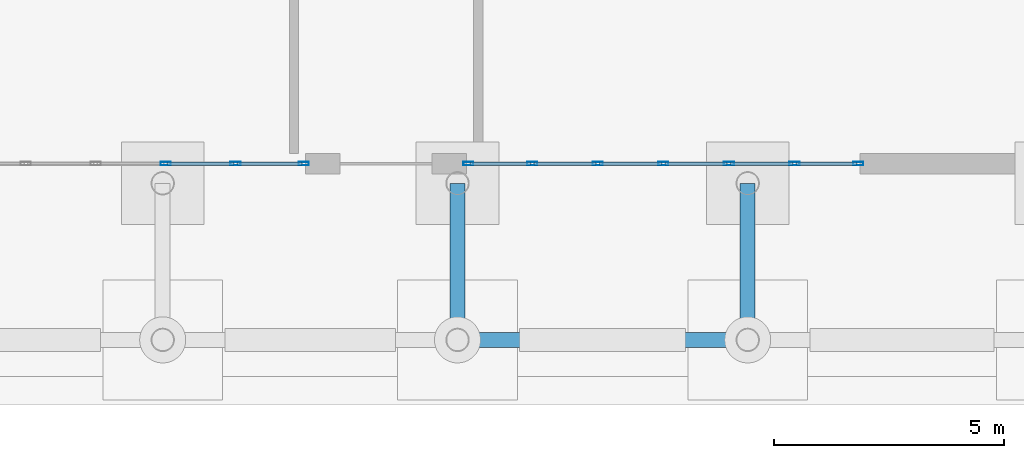
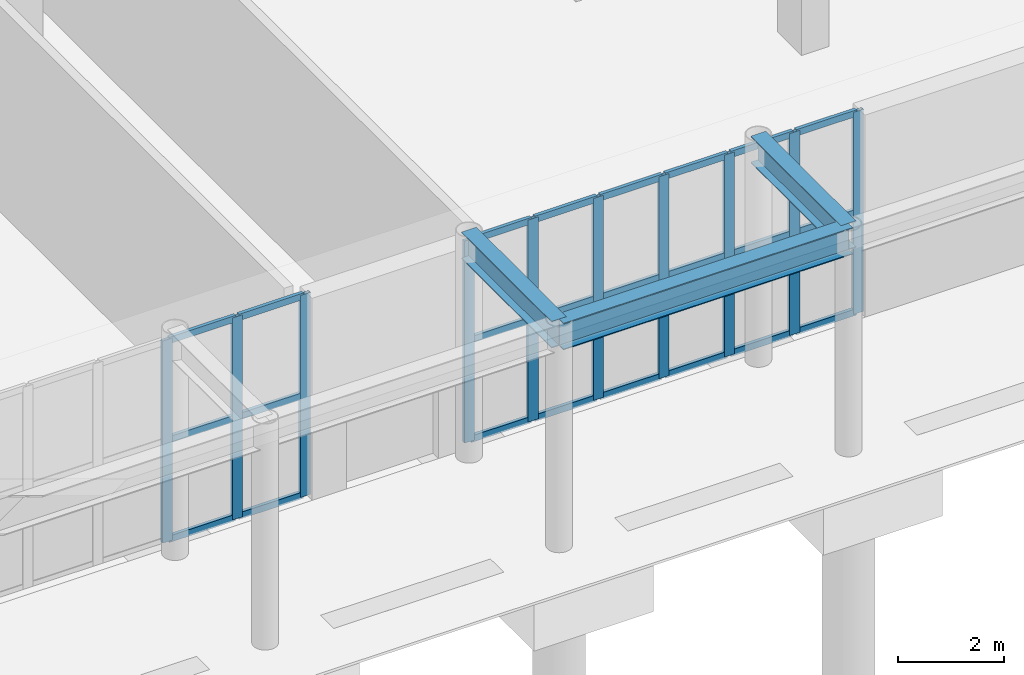
# One storey, part 9 of 35: 34 members, 3 beams, 2 elements without a shape of their own.
"""IFC4 building model written with IfcOpenShell, lengths in metres."""

from ifc_helpers import new_model, si_unit, direction, frame, origin, origin_2d, place, context, subcontext, project, spatial, hollow_rectangle, i_section, extrude, material, layer, layer_set, material_profile, profile_set, type_object, element, aggregate, save


model = new_model("IFC4")

# Units and contexts
model_context = context("Model", 3, precision=1e-05, world=origin(), true_north=direction((0.0, 1.0)))
body_context = subcontext(model_context, "Body", "Model", "MODEL_VIEW")
ifc_project = project(units=[si_unit("LENGTHUNIT", "METRE"), si_unit("AREAUNIT", "SQUARE_METRE"), si_unit("VOLUMEUNIT", "CUBIC_METRE"), si_unit("PLANEANGLEUNIT", "RADIAN"), si_unit("MASSUNIT", "GRAM", prefix="KILO")], contexts=[model_context])

# Site, building, storey
site_placement = place(None, origin())
site = spatial("IfcSite", under=ifc_project, at=site_placement, CompositionType="ELEMENT")
building_placement = place(site_placement, origin())
building = spatial("IfcBuilding", under=site, at=building_placement, Name="Kilnhurst Terrace Hotel", CompositionType="ELEMENT")
storey_placement = place(building_placement, origin())
storey = spatial("IfcBuildingStorey", under=building, at=storey_placement, Name="L00", CompositionType="ELEMENT", Elevation=0.0)

# Beams
ifc_material_1 = material(Name="Steel ASTM A992 Grade 50", Category="steel")
ifc_material_profile_1 = material_profile(ifc_material_1, i_section(OverallWidth=0.3251953125, OverallDepth=0.6162109375, WebThickness=0.013916015625, FlangeThickness=0.021484375, at=origin_2d()), Name="W24X117")
ifc_profile_set_1 = profile_set([ifc_material_profile_1], Name="Steel ASTM A992 Grade 50")
beam_type = type_object("IfcBeamType", Name="BM-STL-W24X117", PredefinedType="BEAM", material=ifc_profile_set_1)
for number, where, z_axis, x_axis, name in (
    (1, (3.199951171875, -35.60009765625, 4.89208984375), (0.0, 1.0, 0.0), (-1.0, 0.0, 0.0), "Porte Cochere Canopy Tie Beam 4"),
    (2, (9.5, -35.60009765625, 4.89208984375), (0.0, 1.0, 0.0), (-1.0, 0.0, 0.0), "Porte Cochere Canopy Tie Beam 5"),
):
    element("IfcBeam", number, at=place(storey_placement, frame(where, z_axis=z_axis, x_axis=x_axis)), inside=storey, type_object=beam_type, Name=name, PredefinedType="BEAM", context=body_context, shape_type="SweptSolid", body=[
        extrude(i_section(OverallWidth=0.3251953125, OverallDepth=0.6162109375, WebThickness=0.013916015625, FlangeThickness=0.021484375, at=origin_2d()), origin(), (0.0, 0.0, 1.0), 3.400146484375),
    ])
beam_placement = place(storey_placement, frame((3.199951171875, -35.60009765625, 4.89208984375), z_axis=(1.0, 0.0, 0.0), x_axis=(0.0, 1.0, 0.0)))
element("IfcBeam", 3, at=beam_placement, inside=storey, type_object=beam_type, Name="Porte Cochere Canopy Edge Beam 4", PredefinedType="BEAM", context=body_context, shape_type="SweptSolid", body=[
    extrude(i_section(OverallWidth=0.3251953125, OverallDepth=0.6162109375, WebThickness=0.013916015625, FlangeThickness=0.021484375, at=origin_2d()), origin(), (0.0, 0.0, 1.0), 6.300048828125),
])

# Curtain wall, members
ifc_material_2 = material(Name="Anodized Aluminium Alloy 6063-T6 and Low-E Glass", Category="aluminium")
ifc_layer = layer(ifc_material_2, 0.219970703125, Name="Anodized Aluminium Alloy 6063-T6 and Low-E Glass")
ifc_layer_set = layer_set([ifc_layer], Name="Anodized Aluminium Alloy 6063-T6 and Low-E Glass")
curtain_wall_type = type_object("IfcCurtainWallType", Name="CW-POD-LOBBY", PredefinedType="NOTDEFINED", material=ifc_layer_set)
curtain_wall_1_placement = place(storey_placement, origin())
curtain_wall_1 = element("IfcCurtainWall", 4, at=curtain_wall_1_placement, inside=storey, type_object=curtain_wall_type, Name="L00 Curtain Wall CW-L00-F1-1", PredefinedType="NOTDEFINED")
ifc_material_3 = material(Name="Extruded Aluminium Alloy 6063-T6", Category="aluminium")
ifc_material_profile_2 = material_profile(ifc_material_3, hollow_rectangle(XDim=0.074951171875, YDim=0.219970703125, WallThickness=0.00390625, at=origin_2d()), Name="CWM75X220")
ifc_profile_set_2 = profile_set([ifc_material_profile_2], Name="Extruded Aluminium Alloy 6063-T6")
member_type_1 = type_object("IfcMemberType", Name="MEM-CWM75X220", PredefinedType="MULLION", material=ifc_profile_set_2)
member_1_placement = place(storey_placement, frame((-3.136474609375, -31.77490234375, 0.0), z_axis=(0.0, 0.0, 1.0), x_axis=(0.0, 1.0, 0.0)))
member_1 = element("IfcMember", 5, at=member_1_placement, type_object=member_type_1, Name="CWL-1 mullion 5", PredefinedType="MULLION", context=body_context, shape_type="SweptSolid", body=[
    extrude(hollow_rectangle(XDim=0.074951171875, YDim=0.219970703125, WallThickness=0.00390625, at=origin_2d()), origin(), (0.0, 0.0, 1.0), 4.64990234375),
])
member_2_placement = place(storey_placement, frame((-1.618408203125, -31.77490234375, 0.0), z_axis=(0.0, 0.0, 1.0), x_axis=(0.0, 1.0, 0.0)))
member_2 = element("IfcMember", 6, at=member_2_placement, type_object=member_type_1, Name="CWL-1 mullion 6", PredefinedType="MULLION", context=body_context, shape_type="SweptSolid", body=[
    extrude(hollow_rectangle(XDim=0.074951171875, YDim=0.219970703125, WallThickness=0.00390625, at=origin_2d()), origin(), (0.0, 0.0, 1.0), 4.64990234375),
])
member_3_placement = place(storey_placement, frame((-0.137939453125, -31.77490234375, 0.0), z_axis=(0.0, 0.0, 1.0), x_axis=(0.0, 1.0, 0.0)))
member_3 = element("IfcMember", 7, at=member_3_placement, type_object=member_type_1, Name="CWL-1 mullion 7", PredefinedType="MULLION", context=body_context, shape_type="SweptSolid", body=[
    extrude(hollow_rectangle(XDim=0.074951171875, YDim=0.219970703125, WallThickness=0.00390625, at=origin_2d()), origin(), (0.0, 0.0, 1.0), 4.64990234375),
])

curtain_wall_2_placement = place(storey_placement, origin())
curtain_wall_2 = element("IfcCurtainWall", 8, at=curtain_wall_2_placement, inside=storey, type_object=curtain_wall_type, Name="L00 Curtain Wall CW-L00-F1-2", PredefinedType="NOTDEFINED")
member_4_placement = place(storey_placement, frame((3.43701171875, -31.77490234375, 0.0), z_axis=(0.0, 0.0, 1.0), x_axis=(0.0, 1.0, 0.0)))
member_4 = element("IfcMember", 9, at=member_4_placement, type_object=member_type_1, Name="CWL-1 mullion 1", PredefinedType="MULLION", context=body_context, shape_type="SweptSolid", body=[
    extrude(hollow_rectangle(XDim=0.074951171875, YDim=0.219970703125, WallThickness=0.00390625, at=origin_2d()), origin(), (0.0, 0.0, 1.0), 4.64990234375),
])
member_5_placement = place(storey_placement, frame((4.82275390625, -31.77490234375, 0.0), z_axis=(0.0, 0.0, 1.0), x_axis=(0.0, 1.0, 0.0)))
member_5 = element("IfcMember", 10, at=member_5_placement, type_object=member_type_1, Name="CWL-1 mullion 2", PredefinedType="MULLION", context=body_context, shape_type="SweptSolid", body=[
    extrude(hollow_rectangle(XDim=0.074951171875, YDim=0.219970703125, WallThickness=0.00390625, at=origin_2d()), origin(), (0.0, 0.0, 1.0), 4.64990234375),
])
member_6_placement = place(storey_placement, frame((6.24609375, -31.77490234375, 0.0), z_axis=(0.0, 0.0, 1.0), x_axis=(0.0, 1.0, 0.0)))
member_6 = element("IfcMember", 11, at=member_6_placement, type_object=member_type_1, Name="CWL-1 mullion 3", PredefinedType="MULLION", context=body_context, shape_type="SweptSolid", body=[
    extrude(hollow_rectangle(XDim=0.074951171875, YDim=0.219970703125, WallThickness=0.00390625, at=origin_2d()), origin(), (0.0, 0.0, 1.0), 4.64990234375),
])
member_7_placement = place(storey_placement, frame((7.66943359375, -31.77490234375, 0.0), z_axis=(0.0, 0.0, 1.0), x_axis=(0.0, 1.0, 0.0)))
member_7 = element("IfcMember", 12, at=member_7_placement, type_object=member_type_1, Name="CWL-1 mullion 4", PredefinedType="MULLION", context=body_context, shape_type="SweptSolid", body=[
    extrude(hollow_rectangle(XDim=0.074951171875, YDim=0.219970703125, WallThickness=0.00390625, at=origin_2d()), origin(), (0.0, 0.0, 1.0), 4.64990234375),
])
member_8_placement = place(storey_placement, frame((9.0927734375, -31.77490234375, 0.0), z_axis=(0.0, 0.0, 1.0), x_axis=(0.0, 1.0, 0.0)))
member_8 = element("IfcMember", 13, at=member_8_placement, type_object=member_type_1, Name="CWL-1 mullion 5", PredefinedType="MULLION", context=body_context, shape_type="SweptSolid", body=[
    extrude(hollow_rectangle(XDim=0.074951171875, YDim=0.219970703125, WallThickness=0.00390625, at=origin_2d()), origin(), (0.0, 0.0, 1.0), 4.64990234375),
])
member_9_placement = place(storey_placement, frame((10.51611328125, -31.77490234375, 0.0), z_axis=(0.0, 0.0, 1.0), x_axis=(0.0, 1.0, 0.0)))
member_9 = element("IfcMember", 14, at=member_9_placement, type_object=member_type_1, Name="CWL-1 mullion 6", PredefinedType="MULLION", context=body_context, shape_type="SweptSolid", body=[
    extrude(hollow_rectangle(XDim=0.074951171875, YDim=0.219970703125, WallThickness=0.00390625, at=origin_2d()), origin(), (0.0, 0.0, 1.0), 4.64990234375),
])
member_10_placement = place(storey_placement, frame((11.902099609375, -31.77490234375, 0.0), z_axis=(0.0, 0.0, 1.0), x_axis=(0.0, 1.0, 0.0)))
member_10 = element("IfcMember", 15, at=member_10_placement, type_object=member_type_1, Name="CWL-1 mullion 7", PredefinedType="MULLION", context=body_context, shape_type="SweptSolid", body=[
    extrude(hollow_rectangle(XDim=0.074951171875, YDim=0.219970703125, WallThickness=0.00390625, at=origin_2d()), origin(), (0.0, 0.0, 1.0), 4.64990234375),
])

# Member
ifc_material_profile_3 = material_profile(ifc_material_3, hollow_rectangle(XDim=0.074951171875, YDim=0.14990234375, WallThickness=0.00390625, at=origin_2d()), Name="CWT75X150")
ifc_profile_set_3 = profile_set([ifc_material_profile_3], Name="Extruded Aluminium Alloy 6063-T6")
member_type_2 = type_object("IfcMemberType", Name="MEM-CWT75X150", PredefinedType="USERDEFINED", material=ifc_profile_set_3)
member_11_placement = place(storey_placement, frame((-3.09912109375, -31.77490234375, 0.03759765625), z_axis=(1.0, 0.0, 0.0), x_axis=(0.0, 1.0, 0.0)))
member_11 = element("IfcMember", 16, at=member_11_placement, type_object=member_type_2, Name="CWL-1 transom 5.1", ObjectType="TRANSOM", PredefinedType="USERDEFINED", context=body_context, shape_type="SweptSolid", body=[
    extrude(hollow_rectangle(XDim=0.074951171875, YDim=0.14990234375, WallThickness=0.00390625, at=origin_2d()), origin(), (0.0, 0.0, 1.0), 1.443115234375),
])

member_12_placement = place(storey_placement, frame((-3.09912109375, -31.77490234375, 2.324951171875), z_axis=(1.0, 0.0, 0.0), x_axis=(0.0, 1.0, 0.0)))
member_12 = element("IfcMember", 17, at=member_12_placement, type_object=member_type_2, Name="CWL-1 transom 5.2", ObjectType="TRANSOM", PredefinedType="USERDEFINED", context=body_context, shape_type="SweptSolid", body=[
    extrude(hollow_rectangle(XDim=0.074951171875, YDim=0.14990234375, WallThickness=0.00390625, at=origin_2d()), origin(), (0.0, 0.0, 1.0), 1.443115234375),
])

member_13_placement = place(storey_placement, frame((-3.09912109375, -31.77490234375, 4.612548828125), z_axis=(1.0, 0.0, 0.0), x_axis=(0.0, 1.0, 0.0)))
member_13 = element("IfcMember", 18, at=member_13_placement, type_object=member_type_2, Name="CWL-1 transom 5.3", ObjectType="TRANSOM", PredefinedType="USERDEFINED", context=body_context, shape_type="SweptSolid", body=[
    extrude(hollow_rectangle(XDim=0.074951171875, YDim=0.14990234375, WallThickness=0.00390625, at=origin_2d()), origin(), (0.0, 0.0, 1.0), 1.443115234375),
])

member_14_placement = place(storey_placement, frame((-1.5810546875, -31.77490234375, 0.03759765625), z_axis=(1.0, 0.0, 0.0), x_axis=(0.0, 1.0, 0.0)))
member_14 = element("IfcMember", 19, at=member_14_placement, type_object=member_type_2, Name="CWL-1 transom 6.1", ObjectType="TRANSOM", PredefinedType="USERDEFINED", context=body_context, shape_type="SweptSolid", body=[
    extrude(hollow_rectangle(XDim=0.074951171875, YDim=0.14990234375, WallThickness=0.00390625, at=origin_2d()), origin(), (0.0, 0.0, 1.0), 1.405517578125),
])

member_15_placement = place(storey_placement, frame((-1.5810546875, -31.77490234375, 2.324951171875), z_axis=(1.0, 0.0, 0.0), x_axis=(0.0, 1.0, 0.0)))
member_15 = element("IfcMember", 20, at=member_15_placement, type_object=member_type_2, Name="CWL-1 transom 6.2", ObjectType="TRANSOM", PredefinedType="USERDEFINED", context=body_context, shape_type="SweptSolid", body=[
    extrude(hollow_rectangle(XDim=0.074951171875, YDim=0.14990234375, WallThickness=0.00390625, at=origin_2d()), origin(), (0.0, 0.0, 1.0), 1.405517578125),
])

member_16_placement = place(storey_placement, frame((-1.5810546875, -31.77490234375, 4.612548828125), z_axis=(1.0, 0.0, 0.0), x_axis=(0.0, 1.0, 0.0)))
member_16 = element("IfcMember", 21, at=member_16_placement, type_object=member_type_2, Name="CWL-1 transom 6.3", ObjectType="TRANSOM", PredefinedType="USERDEFINED", context=body_context, shape_type="SweptSolid", body=[
    extrude(hollow_rectangle(XDim=0.074951171875, YDim=0.14990234375, WallThickness=0.00390625, at=origin_2d()), origin(), (0.0, 0.0, 1.0), 1.405517578125),
])

aggregate(curtain_wall_1, [member_1, member_2, member_3, member_11, member_12, member_13, member_14, member_15, member_16])

member_17_placement = place(storey_placement, frame((3.474609375, -31.77490234375, 0.03759765625), z_axis=(1.0, 0.0, 0.0), x_axis=(0.0, 1.0, 0.0)))
member_17 = element("IfcMember", 22, at=member_17_placement, type_object=member_type_2, Name="CWL-1 transom 1.1", ObjectType="TRANSOM", PredefinedType="USERDEFINED", context=body_context, shape_type="SweptSolid", body=[
    extrude(hollow_rectangle(XDim=0.074951171875, YDim=0.14990234375, WallThickness=0.00390625, at=origin_2d()), origin(), (0.0, 0.0, 1.0), 1.310791015625),
])

member_18_placement = place(storey_placement, frame((3.474609375, -31.77490234375, 2.324951171875), z_axis=(1.0, 0.0, 0.0), x_axis=(0.0, 1.0, 0.0)))
member_18 = element("IfcMember", 23, at=member_18_placement, type_object=member_type_2, Name="CWL-1 transom 1.2", ObjectType="TRANSOM", PredefinedType="USERDEFINED", context=body_context, shape_type="SweptSolid", body=[
    extrude(hollow_rectangle(XDim=0.074951171875, YDim=0.14990234375, WallThickness=0.00390625, at=origin_2d()), origin(), (0.0, 0.0, 1.0), 1.310791015625),
])

member_19_placement = place(storey_placement, frame((3.474609375, -31.77490234375, 4.612548828125), z_axis=(1.0, 0.0, 0.0), x_axis=(0.0, 1.0, 0.0)))
member_19 = element("IfcMember", 24, at=member_19_placement, type_object=member_type_2, Name="CWL-1 transom 1.3", ObjectType="TRANSOM", PredefinedType="USERDEFINED", context=body_context, shape_type="SweptSolid", body=[
    extrude(hollow_rectangle(XDim=0.074951171875, YDim=0.14990234375, WallThickness=0.00390625, at=origin_2d()), origin(), (0.0, 0.0, 1.0), 1.310791015625),
])

member_20_placement = place(storey_placement, frame((4.8603515625, -31.77490234375, 0.03759765625), z_axis=(1.0, 0.0, 0.0), x_axis=(0.0, 1.0, 0.0)))
member_20 = element("IfcMember", 25, at=member_20_placement, type_object=member_type_2, Name="CWL-1 transom 2.1", ObjectType="TRANSOM", PredefinedType="USERDEFINED", context=body_context, shape_type="SweptSolid", body=[
    extrude(hollow_rectangle(XDim=0.074951171875, YDim=0.14990234375, WallThickness=0.00390625, at=origin_2d()), origin(), (0.0, 0.0, 1.0), 1.348388671875),
])

member_21_placement = place(storey_placement, frame((4.8603515625, -31.77490234375, 2.324951171875), z_axis=(1.0, 0.0, 0.0), x_axis=(0.0, 1.0, 0.0)))
member_21 = element("IfcMember", 26, at=member_21_placement, type_object=member_type_2, Name="CWL-1 transom 2.2", ObjectType="TRANSOM", PredefinedType="USERDEFINED", context=body_context, shape_type="SweptSolid", body=[
    extrude(hollow_rectangle(XDim=0.074951171875, YDim=0.14990234375, WallThickness=0.00390625, at=origin_2d()), origin(), (0.0, 0.0, 1.0), 1.348388671875),
])

member_22_placement = place(storey_placement, frame((4.8603515625, -31.77490234375, 4.612548828125), z_axis=(1.0, 0.0, 0.0), x_axis=(0.0, 1.0, 0.0)))
member_22 = element("IfcMember", 27, at=member_22_placement, type_object=member_type_2, Name="CWL-1 transom 2.3", ObjectType="TRANSOM", PredefinedType="USERDEFINED", context=body_context, shape_type="SweptSolid", body=[
    extrude(hollow_rectangle(XDim=0.074951171875, YDim=0.14990234375, WallThickness=0.00390625, at=origin_2d()), origin(), (0.0, 0.0, 1.0), 1.348388671875),
])

member_23_placement = place(storey_placement, frame((6.28369140625, -31.77490234375, 0.03759765625), z_axis=(1.0, 0.0, 0.0), x_axis=(0.0, 1.0, 0.0)))
member_23 = element("IfcMember", 28, at=member_23_placement, type_object=member_type_2, Name="CWL-1 transom 3.1", ObjectType="TRANSOM", PredefinedType="USERDEFINED", context=body_context, shape_type="SweptSolid", body=[
    extrude(hollow_rectangle(XDim=0.074951171875, YDim=0.14990234375, WallThickness=0.00390625, at=origin_2d()), origin(), (0.0, 0.0, 1.0), 1.348388671875),
])

member_24_placement = place(storey_placement, frame((6.28369140625, -31.77490234375, 2.324951171875), z_axis=(1.0, 0.0, 0.0), x_axis=(0.0, 1.0, 0.0)))
member_24 = element("IfcMember", 29, at=member_24_placement, type_object=member_type_2, Name="CWL-1 transom 3.2", ObjectType="TRANSOM", PredefinedType="USERDEFINED", context=body_context, shape_type="SweptSolid", body=[
    extrude(hollow_rectangle(XDim=0.074951171875, YDim=0.14990234375, WallThickness=0.00390625, at=origin_2d()), origin(), (0.0, 0.0, 1.0), 1.348388671875),
])

member_25_placement = place(storey_placement, frame((6.28369140625, -31.77490234375, 4.612548828125), z_axis=(1.0, 0.0, 0.0), x_axis=(0.0, 1.0, 0.0)))
member_25 = element("IfcMember", 30, at=member_25_placement, type_object=member_type_2, Name="CWL-1 transom 3.3", ObjectType="TRANSOM", PredefinedType="USERDEFINED", context=body_context, shape_type="SweptSolid", body=[
    extrude(hollow_rectangle(XDim=0.074951171875, YDim=0.14990234375, WallThickness=0.00390625, at=origin_2d()), origin(), (0.0, 0.0, 1.0), 1.348388671875),
])

member_26_placement = place(storey_placement, frame((7.70703125, -31.77490234375, 0.03759765625), z_axis=(1.0, 0.0, 0.0), x_axis=(0.0, 1.0, 0.0)))
member_26 = element("IfcMember", 31, at=member_26_placement, type_object=member_type_2, Name="CWL-1 transom 4.1", ObjectType="TRANSOM", PredefinedType="USERDEFINED", context=body_context, shape_type="SweptSolid", body=[
    extrude(hollow_rectangle(XDim=0.074951171875, YDim=0.14990234375, WallThickness=0.00390625, at=origin_2d()), origin(), (0.0, 0.0, 1.0), 1.348388671875),
])

member_27_placement = place(storey_placement, frame((7.70703125, -31.77490234375, 2.324951171875), z_axis=(1.0, 0.0, 0.0), x_axis=(0.0, 1.0, 0.0)))
member_27 = element("IfcMember", 32, at=member_27_placement, type_object=member_type_2, Name="CWL-1 transom 4.2", ObjectType="TRANSOM", PredefinedType="USERDEFINED", context=body_context, shape_type="SweptSolid", body=[
    extrude(hollow_rectangle(XDim=0.074951171875, YDim=0.14990234375, WallThickness=0.00390625, at=origin_2d()), origin(), (0.0, 0.0, 1.0), 1.348388671875),
])

member_28_placement = place(storey_placement, frame((7.70703125, -31.77490234375, 4.612548828125), z_axis=(1.0, 0.0, 0.0), x_axis=(0.0, 1.0, 0.0)))
member_28 = element("IfcMember", 33, at=member_28_placement, type_object=member_type_2, Name="CWL-1 transom 4.3", ObjectType="TRANSOM", PredefinedType="USERDEFINED", context=body_context, shape_type="SweptSolid", body=[
    extrude(hollow_rectangle(XDim=0.074951171875, YDim=0.14990234375, WallThickness=0.00390625, at=origin_2d()), origin(), (0.0, 0.0, 1.0), 1.348388671875),
])

member_29_placement = place(storey_placement, frame((9.13037109375, -31.77490234375, 0.03759765625), z_axis=(1.0, 0.0, 0.0), x_axis=(0.0, 1.0, 0.0)))
member_29 = element("IfcMember", 34, at=member_29_placement, type_object=member_type_2, Name="CWL-1 transom 5.1", ObjectType="TRANSOM", PredefinedType="USERDEFINED", context=body_context, shape_type="SweptSolid", body=[
    extrude(hollow_rectangle(XDim=0.074951171875, YDim=0.14990234375, WallThickness=0.00390625, at=origin_2d()), origin(), (0.0, 0.0, 1.0), 1.348388671875),
])

member_30_placement = place(storey_placement, frame((9.13037109375, -31.77490234375, 2.324951171875), z_axis=(1.0, 0.0, 0.0), x_axis=(0.0, 1.0, 0.0)))
member_30 = element("IfcMember", 35, at=member_30_placement, type_object=member_type_2, Name="CWL-1 transom 5.2", ObjectType="TRANSOM", PredefinedType="USERDEFINED", context=body_context, shape_type="SweptSolid", body=[
    extrude(hollow_rectangle(XDim=0.074951171875, YDim=0.14990234375, WallThickness=0.00390625, at=origin_2d()), origin(), (0.0, 0.0, 1.0), 1.348388671875),
])

member_31_placement = place(storey_placement, frame((9.13037109375, -31.77490234375, 4.612548828125), z_axis=(1.0, 0.0, 0.0), x_axis=(0.0, 1.0, 0.0)))
member_31 = element("IfcMember", 36, at=member_31_placement, type_object=member_type_2, Name="CWL-1 transom 5.3", ObjectType="TRANSOM", PredefinedType="USERDEFINED", context=body_context, shape_type="SweptSolid", body=[
    extrude(hollow_rectangle(XDim=0.074951171875, YDim=0.14990234375, WallThickness=0.00390625, at=origin_2d()), origin(), (0.0, 0.0, 1.0), 1.348388671875),
])

member_32_placement = place(storey_placement, frame((10.5537109375, -31.77490234375, 0.03759765625), z_axis=(1.0, 0.0, 0.0), x_axis=(0.0, 1.0, 0.0)))
member_32 = element("IfcMember", 37, at=member_32_placement, type_object=member_type_2, Name="CWL-1 transom 6.1", ObjectType="TRANSOM", PredefinedType="USERDEFINED", context=body_context, shape_type="SweptSolid", body=[
    extrude(hollow_rectangle(XDim=0.074951171875, YDim=0.14990234375, WallThickness=0.00390625, at=origin_2d()), origin(), (0.0, 0.0, 1.0), 1.310791015625),
])

member_33_placement = place(storey_placement, frame((10.5537109375, -31.77490234375, 2.324951171875), z_axis=(1.0, 0.0, 0.0), x_axis=(0.0, 1.0, 0.0)))
member_33 = element("IfcMember", 38, at=member_33_placement, type_object=member_type_2, Name="CWL-1 transom 6.2", ObjectType="TRANSOM", PredefinedType="USERDEFINED", context=body_context, shape_type="SweptSolid", body=[
    extrude(hollow_rectangle(XDim=0.074951171875, YDim=0.14990234375, WallThickness=0.00390625, at=origin_2d()), origin(), (0.0, 0.0, 1.0), 1.310791015625),
])

member_34_placement = place(storey_placement, frame((10.5537109375, -31.77490234375, 4.612548828125), z_axis=(1.0, 0.0, 0.0), x_axis=(0.0, 1.0, 0.0)))
member_34 = element("IfcMember", 39, at=member_34_placement, type_object=member_type_2, Name="CWL-1 transom 6.3", ObjectType="TRANSOM", PredefinedType="USERDEFINED", context=body_context, shape_type="SweptSolid", body=[
    extrude(hollow_rectangle(XDim=0.074951171875, YDim=0.14990234375, WallThickness=0.00390625, at=origin_2d()), origin(), (0.0, 0.0, 1.0), 1.310791015625),
])

aggregate(curtain_wall_2, [member_4, member_5, member_6, member_7, member_8, member_9, member_10, member_17, member_18, member_19, member_20, member_21, member_22, member_23, member_24, member_25, member_26, member_27, member_28, member_29, member_30, member_31, member_32, member_33, member_34])

save(model, "model.ifc")
